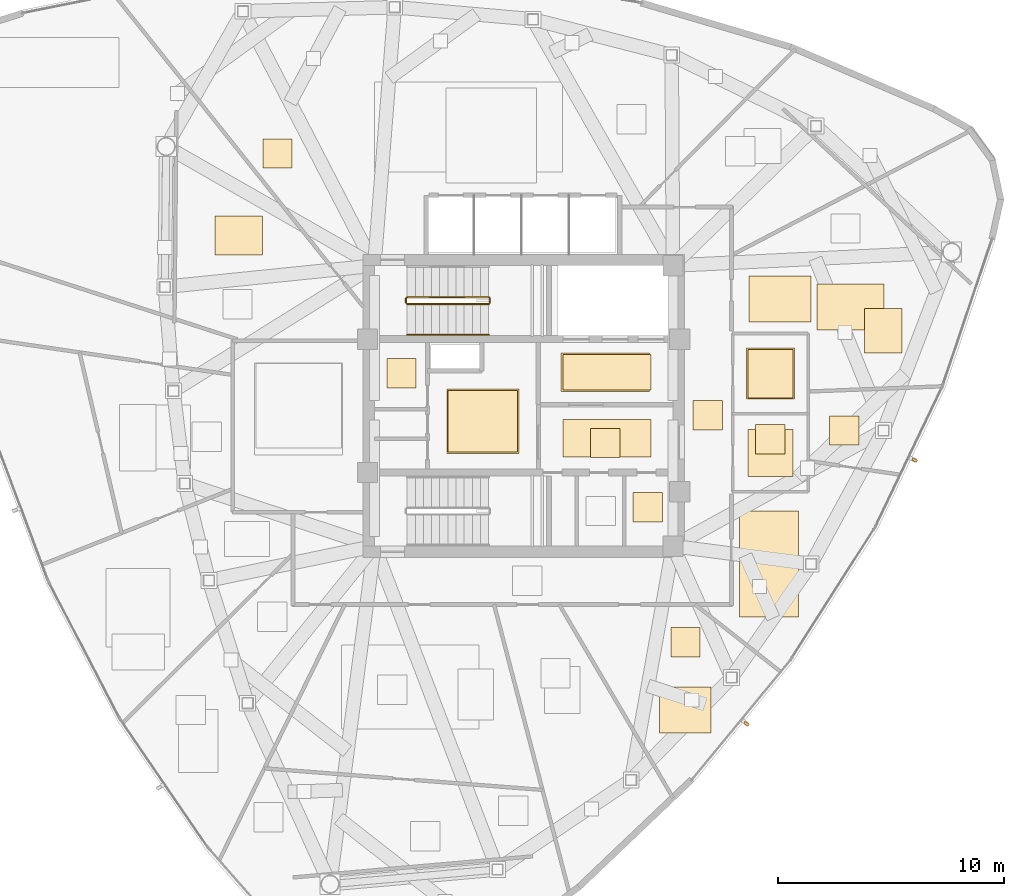
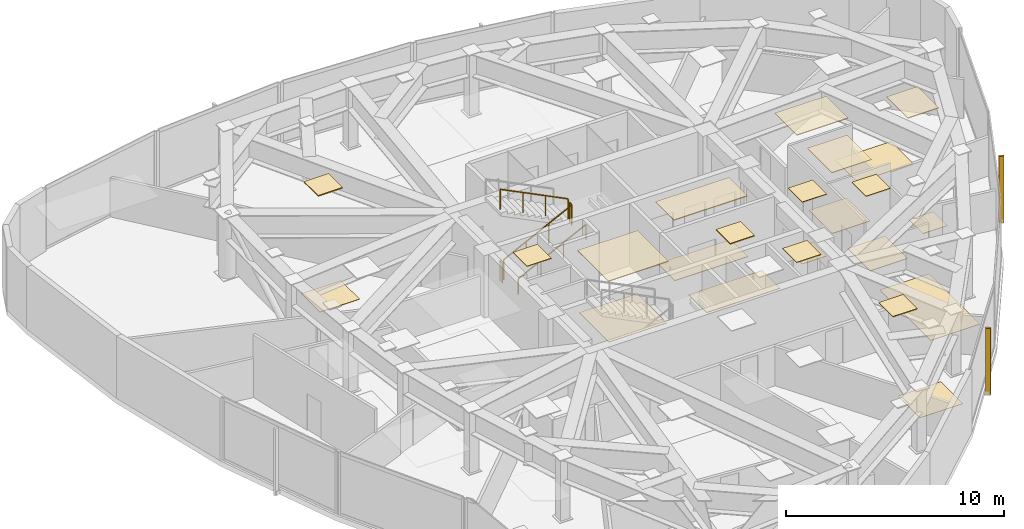
# One storey, part 12 of 13: 23 coverings, 5 railings, 2 shading devices.
"""IFC4 building model written with IfcOpenShell, lengths in metres."""

from ifc_helpers import new_model, si_unit, direction, frame, origin, origin_2d, place, context, subcontext, project, spatial, polyline, rectangle, outline, extrude, source, transform, mapped, material, layer, layer_set, type_object, type_shapes, element, save


model = new_model("IFC4")

# Units and contexts
model_context = context("Model", 3, precision=1e-05, world=origin(), true_north=direction((0.0, 1.0)))
body_context = subcontext(model_context, "Body", "Model", "MODEL_VIEW")
ifc_project = project(units=[si_unit("LENGTHUNIT", "METRE"), si_unit("AREAUNIT", "SQUARE_METRE"), si_unit("VOLUMEUNIT", "CUBIC_METRE"), si_unit("PLANEANGLEUNIT", "RADIAN"), si_unit("MASSUNIT", "GRAM", prefix="KILO")], contexts=[model_context])

# Site, building, storey
site_placement = place(None, origin())
site = spatial("IfcSite", under=ifc_project, at=site_placement, CompositionType="ELEMENT")
building_placement = place(site_placement, origin())
building = spatial("IfcBuilding", under=site, at=building_placement, Name="Tavelor Broadcast Tower", CompositionType="ELEMENT")
storey_placement = place(building_placement, frame((0.0, 0.0, 269.550048828125)))
storey = spatial("IfcBuildingStorey", under=building, at=storey_placement, Name="L64", CompositionType="ELEMENT", Elevation=269.550048828125)

# Coverings
ifc_material_1 = material(Name="Copper-Bronze Anodized Aluminium", Category="aluminium")
ifc_layer_1 = layer(ifc_material_1, 0.044921875)
ifc_layer_set_1 = layer_set([ifc_layer_1], Name="Copper-Bronze Anodized Aluminium")
covering_type_1 = type_object("IfcCoveringType", Name="Anodised Bronze Linear Slatted Concourse Ceiling 45 mm", PredefinedType="CEILING", material=ifc_layer_set_1)
covering_1_placement = place(storey_placement, frame((0.0, 0.0, 3.454833984375)))
element("IfcCovering", 1, at=covering_1_placement, inside=storey, type_object=covering_type_1, Name="L64 Suspended Acoustic Ceiling 2479", PredefinedType="CEILING", context=body_context, shape_type="SweptSolid", body=[
    extrude(outline(polyline([(51.659912109375, 45.6318359375), (55.55712890625, 45.6318359375), (55.55712890625, 47.328125), (51.659912109375, 47.328125), (51.659912109375, 45.6318359375)])), origin(), (0.0, 0.0, 1.0), 0.045166015625),
])
covering_2_placement = place(storey_placement, frame((0.0, 0.0, 3.454833984375)))
element("IfcCovering", 2, at=covering_2_placement, inside=storey, type_object=covering_type_1, Name="L64 Suspended Acoustic Ceiling 2480", PredefinedType="CEILING", context=body_context, shape_type="SweptSolid", body=[
    extrude(outline(polyline([(52.95361328125, 42.705078125), (54.25341796875, 42.705078125), (54.25341796875, 44.0048828125), (52.95361328125, 44.0048828125), (52.95361328125, 42.705078125)])), origin(), (0.0, 0.0, 1.0), 0.045166015625),
])

# Railing
ifc_material_2 = material(Name="Steel S355", Category="steel")
railing_type_1 = type_object("IfcRailingType", Name="Continuous Brushed Stainless Handrail 900 mm", PredefinedType="HANDRAIL", material=ifc_material_2)
railing_1_placement = place(storey_placement, frame((44.85009765625, 48.14990234375, 0.179443359375)))
element("IfcRailing", 3, at=railing_1_placement, inside=storey, type_object=railing_type_1, Name="L64 ST1 stair handrail 1", PredefinedType="HANDRAIL", context=body_context, shape_type="SweptSolid", body=[
    extrude(rectangle(XDim=0.048095703125, YDim=0.048095703125, at=origin_2d()), frame((0.0, 0.0, 0.8759765625), z_axis=(0.894875846893, 0.0, 0.446315156192), x_axis=(0.0, 1.0, 0.0)), (0.0, 0.0, 1.0), 4.022705078125),
    extrude(rectangle(XDim=0.0419921875, YDim=0.0419921875, at=origin_2d()), origin(), (0.0, 0.0, 1.0), 0.851806640625),
    extrude(rectangle(XDim=0.0419921875, YDim=0.0419921875, at=origin_2d()), frame((1.199951171875, 0.0, 0.598388671875)), (0.0, 0.0, 1.0), 0.851806640625),
    extrude(rectangle(XDim=0.0419921875, YDim=0.0419921875, at=origin_2d()), frame((2.39990234375, 0.0, 1.197021484375)), (0.0, 0.0, 1.0), 0.851806640625),
    extrude(rectangle(XDim=0.0419921875, YDim=0.0419921875, at=origin_2d()), frame((3.599853515625, 0.0, 1.79541015625)), (0.0, 0.0, 1.0), 0.851806640625),
])

# Coverings
ifc_material_3 = material(Name="Architectural Anodized Aluminium", Category="aluminium")
ifc_layer_2 = layer(ifc_material_3, 0.034912109375)
ifc_layer_set_2 = layer_set([ifc_layer_2], Name="Architectural Anodized Aluminium")
covering_type_2 = type_object("IfcCoveringType", Name="Demountable Metal Tile Corridor Ceiling 35 mm", PredefinedType="CEILING", material=ifc_layer_set_2)
covering_3_placement = place(storey_placement, frame((0.0, 0.0, 3.46484375)))
element("IfcCovering", 4, at=covering_3_placement, inside=storey, type_object=covering_type_2, Name="L64 Suspended Acoustic Ceiling 2485", PredefinedType="CEILING", context=body_context, shape_type="SweptSolid", body=[
    extrude(outline(polyline([(57.489990234375, 43.925048828125), (58.7900390625, 43.925048828125), (58.7900390625, 45.22509765625), (57.489990234375, 45.22509765625), (57.489990234375, 43.925048828125)])), origin(), (0.0, 0.0, 1.0), 0.03515625),
])
ifc_material_4 = material(Name="Acoustic Nylon Carpet Tile")
ifc_layer_3 = layer(ifc_material_4, 0.02001953125)
ifc_layer_set_3 = layer_set([ifc_layer_3], Name="Acoustic Nylon Carpet Tile")
covering_type_3 = type_object("IfcCoveringType", Name="Heavy-Duty Acoustic Broadcast Carpet Tile 20 mm", PredefinedType="FLOORING", material=ifc_layer_set_3)
covering_4_placement = place(storey_placement, origin())
element("IfcCovering", 5, at=covering_4_placement, inside=storey, type_object=covering_type_3, Name="L64 Broadcast Floor Finish 0950", PredefinedType="FLOORING", context=body_context, shape_type="SweptSolid", body=[
    extrude(outline(polyline([(46.6591796875, 42.953369140625), (49.730712890625, 42.953369140625), (49.730712890625, 45.6865234375), (46.6591796875, 45.6865234375), (46.6591796875, 42.953369140625)])), origin(), (0.0, 0.0, 1.0), 0.02001953125),
])
covering_5_placement = place(storey_placement, origin())
element("IfcCovering", 6, at=covering_5_placement, inside=storey, type_object=covering_type_3, Name="L64 Broadcast Floor Finish 0951", PredefinedType="FLOORING", context=body_context, shape_type="SweptSolid", body=[
    extrude(outline(polyline([(57.489990234375, 43.925048828125), (58.7900390625, 43.925048828125), (58.7900390625, 45.22509765625), (57.489990234375, 45.22509765625), (57.489990234375, 43.925048828125)])), origin(), (0.0, 0.0, 1.0), 0.02001953125),
])
covering_6_placement = place(storey_placement, origin())
element("IfcCovering", 7, at=covering_6_placement, inside=storey, type_object=covering_type_3, Name="L64 Broadcast Floor Finish 0955", PredefinedType="FLOORING", context=body_context, shape_type="SweptSolid", body=[
    extrude(outline(polyline([(63.513671875, 43.259521484375), (64.813720703125, 43.259521484375), (64.813720703125, 44.559326171875), (63.513671875, 44.559326171875), (63.513671875, 43.259521484375)])), origin(), (0.0, 0.0, 1.0), 0.02001953125),
])
covering_7_placement = place(storey_placement, origin())
element("IfcCovering", 8, at=covering_7_placement, inside=storey, type_object=covering_type_3, Name="L64 Broadcast Floor Finish 0956", PredefinedType="FLOORING", context=body_context, shape_type="SweptSolid", body=[
    extrude(outline(polyline([(59.53271484375, 35.668212890625), (62.1533203125, 35.668212890625), (62.1533203125, 40.35009765625), (59.53271484375, 40.35009765625), (59.53271484375, 35.668212890625)])), origin(), (0.0, 0.0, 1.0), 0.02001953125),
])
covering_8_placement = place(storey_placement, origin())
element("IfcCovering", 9, at=covering_8_placement, inside=storey, type_object=covering_type_3, Name="L64 Broadcast Floor Finish 0957", PredefinedType="FLOORING", context=body_context, shape_type="SweptSolid", body=[
    extrude(outline(polyline([(56.0078125, 30.545166015625), (58.282958984375, 30.545166015625), (58.282958984375, 32.5751953125), (56.0078125, 32.5751953125), (56.0078125, 30.545166015625)])), origin(), (0.0, 0.0, 1.0), 0.02001953125),
])
covering_9_placement = place(storey_placement, origin())
element("IfcCovering", 10, at=covering_9_placement, inside=storey, type_object=covering_type_3, Name="L64 Broadcast Floor Finish 0961", PredefinedType="FLOORING", context=body_context, shape_type="SweptSolid", body=[
    extrude(outline(polyline([(36.34716796875, 51.6748046875), (38.45751953125, 51.6748046875), (38.45751953125, 53.391357421875), (36.34716796875, 53.391357421875), (36.34716796875, 51.6748046875)])), origin(), (0.0, 0.0, 1.0), 0.02001953125),
])
covering_10_placement = place(storey_placement, origin())
element("IfcCovering", 11, at=covering_10_placement, inside=storey, type_object=covering_type_3, Name="L64 Broadcast Floor Finish 0964", PredefinedType="FLOORING", context=body_context, shape_type="SweptSolid", body=[
    extrude(outline(polyline([(62.96875, 48.350341796875), (65.93603515625, 48.350341796875), (65.93603515625, 50.39599609375), (62.96875, 50.39599609375), (62.96875, 48.350341796875)])), origin(), (0.0, 0.0, 1.0), 0.02001953125),
])
ifc_material_5 = material(Name="Honed Natural Limestone Tile", Category="masonry")
ifc_layer_4 = layer(ifc_material_5, 0.030029296875)
ifc_layer_set_4 = layer_set([ifc_layer_4], Name="Honed Natural Limestone Tile")
covering_type_4 = type_object("IfcCoveringType", Name="Honed Jerusalem Limestone Concourse Flooring 30 mm", PredefinedType="FLOORING", material=ifc_layer_set_4)
covering_11_placement = place(storey_placement, origin())
element("IfcCovering", 12, at=covering_11_placement, inside=storey, type_object=covering_type_4, Name="L64 Broadcast Floor Finish 0948", PredefinedType="FLOORING", context=body_context, shape_type="SweptSolid", body=[
    extrude(outline(polyline([(51.7373046875, 45.689453125), (55.62255859375, 45.689453125), (55.62255859375, 47.2705078125), (51.7373046875, 47.2705078125), (51.7373046875, 45.689453125)])), origin(), (0.0, 0.0, 1.0), 0.030029296875),
])
covering_12_placement = place(storey_placement, origin())
element("IfcCovering", 13, at=covering_12_placement, inside=storey, type_object=covering_type_4, Name="L64 Broadcast Floor Finish 0949", PredefinedType="FLOORING", context=body_context, shape_type="SweptSolid", body=[
    extrude(outline(polyline([(51.728759765625, 42.743408203125), (55.62109375, 42.743408203125), (55.62109375, 44.396484375), (51.728759765625, 44.396484375), (51.728759765625, 42.743408203125)])), origin(), (0.0, 0.0, 1.0), 0.030029296875),
])
ifc_material_6 = material(Name="Acoustic Perforated Timber Baffle", Category="wood")
ifc_layer_5 = layer(ifc_material_6, 0.054931640625)
ifc_layer_set_5 = layer_set([ifc_layer_5], Name="Acoustic Perforated Timber Baffle")
covering_type_5 = type_object("IfcCoveringType", Name="Micro-Perforated Acoustic Baffle Studio Ceiling 55 mm", PredefinedType="CEILING", material=ifc_layer_set_5)
covering_13_placement = place(storey_placement, frame((0.0, 0.0, 3.445068359375)))
element("IfcCovering", 14, at=covering_13_placement, inside=storey, type_object=covering_type_5, Name="L64 Suspended Acoustic Ceiling 2503", PredefinedType="CEILING", context=body_context, shape_type="SweptSolid", body=[
    extrude(outline(polyline([(38.468505859375, 55.504150390625), (39.7685546875, 55.504150390625), (39.7685546875, 56.80419921875), (38.468505859375, 56.80419921875), (38.468505859375, 55.504150390625)])), origin(), (0.0, 0.0, 1.0), 0.054931640625),
])
ifc_layer_6 = layer(ifc_material_3, 0.030029296875)
ifc_layer_set_6 = layer_set([ifc_layer_6], Name="Architectural Anodized Aluminium")
covering_type_6 = type_object("IfcCoveringType", Name="Moisture-Resistant Washroom Ceiling 30 mm", PredefinedType="CEILING", material=ifc_layer_set_6)
covering_14_placement = place(storey_placement, frame((0.0, 0.0, 3.469970703125)))
element("IfcCovering", 15, at=covering_14_placement, inside=storey, type_object=covering_type_6, Name="L64 Suspended Acoustic Ceiling 2483", PredefinedType="CEILING", context=body_context, shape_type="SweptSolid", body=[
    extrude(outline(polyline([(54.843505859375, 39.866455078125), (56.1435546875, 39.866455078125), (56.1435546875, 41.16650390625), (54.843505859375, 41.16650390625), (54.843505859375, 39.866455078125)])), origin(), (0.0, 0.0, 1.0), 0.030029296875),
])
covering_15_placement = place(storey_placement, frame((0.0, 0.0, 3.469970703125)))
element("IfcCovering", 16, at=covering_15_placement, inside=storey, type_object=covering_type_6, Name="L64 Suspended Acoustic Ceiling 2484", PredefinedType="CEILING", context=body_context, shape_type="SweptSolid", body=[
    extrude(outline(polyline([(43.951416015625, 45.794921875), (45.25146484375, 45.794921875), (45.25146484375, 47.094970703125), (43.951416015625, 47.094970703125), (43.951416015625, 45.794921875)])), origin(), (0.0, 0.0, 1.0), 0.030029296875),
])
covering_16_placement = place(storey_placement, frame((0.0, 0.0, 3.469970703125)))
element("IfcCovering", 17, at=covering_16_placement, inside=storey, type_object=covering_type_6, Name="L64 Suspended Acoustic Ceiling 2488", PredefinedType="CEILING", context=body_context, shape_type="SweptSolid", body=[
    extrude(outline(polyline([(60.260009765625, 42.864501953125), (61.56005859375, 42.864501953125), (61.56005859375, 44.164306640625), (60.260009765625, 44.164306640625), (60.260009765625, 42.864501953125)])), origin(), (0.0, 0.0, 1.0), 0.030029296875),
])
covering_17_placement = place(storey_placement, frame((0.0, 0.0, 3.469970703125)))
element("IfcCovering", 18, at=covering_17_placement, inside=storey, type_object=covering_type_6, Name="L64 Suspended Acoustic Ceiling 2489", PredefinedType="CEILING", context=body_context, shape_type="SweptSolid", body=[
    extrude(outline(polyline([(59.85302734375, 45.29248046875), (61.967041015625, 45.29248046875), (61.967041015625, 47.5576171875), (59.85302734375, 47.5576171875), (59.85302734375, 45.29248046875)])), origin(), (0.0, 0.0, 1.0), 0.030029296875),
])
ifc_material_7 = material(Name="Slip-Resistant Porcelain Tile")
ifc_layer_7 = layer(ifc_material_7, 0.02490234375)
ifc_layer_set_7 = layer_set([ifc_layer_7], Name="Slip-Resistant Porcelain Tile")
covering_type_7 = type_object("IfcCoveringType", Name="Slip-Resistant Porcelain Wet-Area Floor Tile 25 mm", PredefinedType="FLOORING", material=ifc_layer_set_7)
covering_18_placement = place(storey_placement, origin())
element("IfcCovering", 19, at=covering_18_placement, inside=storey, type_object=covering_type_7, Name="L64 Broadcast Floor Finish 0953", PredefinedType="FLOORING", context=body_context, shape_type="SweptSolid", body=[
    extrude(outline(polyline([(59.91064453125, 41.885986328125), (61.909423828125, 41.885986328125), (61.909423828125, 43.964111328125), (59.91064453125, 43.964111328125), (59.91064453125, 41.885986328125)])), origin(), (0.0, 0.0, 1.0), 0.02490234375),
])
covering_19_placement = place(storey_placement, origin())
element("IfcCovering", 20, at=covering_19_placement, inside=storey, type_object=covering_type_7, Name="L64 Broadcast Floor Finish 0954", PredefinedType="FLOORING", context=body_context, shape_type="SweptSolid", body=[
    extrude(outline(polyline([(59.91064453125, 45.35009765625), (61.909423828125, 45.35009765625), (61.909423828125, 47.5), (59.91064453125, 47.5), (59.91064453125, 45.35009765625)])), origin(), (0.0, 0.0, 1.0), 0.02490234375),
])

# Railings
railing_type_2 = type_object("IfcRailingType", Name="Stairwell Steel Safety Guardrail 1150 mm", PredefinedType="GUARDRAIL", material=ifc_material_2)
railing_2_placement = place(storey_placement, frame((44.85009765625, 49.5, 0.179443359375)))
element("IfcRailing", 21, at=railing_2_placement, inside=storey, type_object=railing_type_2, Name="L64 ST1 stair guard 1", PredefinedType="GUARDRAIL", context=body_context, shape_type="SweptSolid", body=[
    extrude(rectangle(XDim=0.048095703125, YDim=0.048095703125, at=origin_2d()), frame((0.0, 0.0, 1.1259765625), z_axis=(0.894875846893, 0.0, 0.446315156192), x_axis=(0.0, 1.0, 0.0)), (0.0, 0.0, 1.0), 4.022705078125),
    extrude(rectangle(XDim=0.0419921875, YDim=0.0419921875, at=origin_2d()), origin(), (0.0, 0.0, 1.0), 1.101806640625),
    extrude(rectangle(XDim=0.0419921875, YDim=0.0419921875, at=origin_2d()), frame((1.199951171875, 0.0, 0.598388671875)), (0.0, 0.0, 1.0), 1.101806640625),
    extrude(rectangle(XDim=0.0419921875, YDim=0.0419921875, at=origin_2d()), frame((2.39990234375, 0.0, 1.197021484375)), (0.0, 0.0, 1.0), 1.101806640625),
    extrude(rectangle(XDim=0.0419921875, YDim=0.0419921875, at=origin_2d()), frame((3.599853515625, 0.0, 1.79541015625)), (0.0, 0.0, 1.0), 1.101806640625),
])
railing_3_placement = place(storey_placement, frame((48.5, 49.550048828125, 1.974853515625)))
element("IfcRailing", 22, at=railing_3_placement, inside=storey, type_object=railing_type_2, Name="L64 ST1 stair guard 2", PredefinedType="GUARDRAIL", context=body_context, shape_type="SweptSolid", body=[
    extrude(rectangle(XDim=0.048095703125, YDim=0.048095703125, at=origin_2d()), frame((0.0, 0.0, 1.1259765625), z_axis=(0.0, 1.0, 0.0), x_axis=(-1.0, 0.0, 0.0)), (0.0, 0.0, 1.0), 0.199951171875),
    extrude(rectangle(XDim=0.0419921875, YDim=0.0419921875, at=origin_2d()), origin(), (0.0, 0.0, 1.0), 1.101806640625),
    extrude(rectangle(XDim=0.0419921875, YDim=0.0419921875, at=origin_2d()), frame((0.0, 0.199951171875, 0.0)), (0.0, 0.0, 1.0), 1.101806640625),
])
railing_4_placement = place(storey_placement, frame((48.449951171875, 49.800048828125, 2.154541015625)))
element("IfcRailing", 23, at=railing_4_placement, inside=storey, type_object=railing_type_2, Name="L64 ST1 stair guard 3", PredefinedType="GUARDRAIL", context=body_context, shape_type="SweptSolid", body=[
    extrude(rectangle(XDim=0.048095703125, YDim=0.048095703125, at=origin_2d()), frame((0.0, 0.0, 1.1259765625), z_axis=(-0.894875846893, 0.0, 0.446315156192), x_axis=(0.0, -1.0, 0.0)), (0.0, 0.0, 1.0), 4.022705078125),
    extrude(rectangle(XDim=0.0419921875, YDim=0.0419921875, at=origin_2d()), origin(), (0.0, 0.0, 1.0), 1.101806640625),
    extrude(rectangle(XDim=0.0419921875, YDim=0.0419921875, at=origin_2d()), frame((-1.199951171875, 0.0, 0.598388671875)), (0.0, 0.0, 1.0), 1.101806640625),
    extrude(rectangle(XDim=0.0419921875, YDim=0.0419921875, at=origin_2d()), frame((-2.39990234375, 0.0, 1.197021484375)), (0.0, 0.0, 1.0), 1.101806640625),
    extrude(rectangle(XDim=0.0419921875, YDim=0.0419921875, at=origin_2d()), frame((-3.599853515625, 0.0, 1.79541015625)), (0.0, 0.0, 1.0), 1.101806640625),
])
railing_5_placement = place(storey_placement, frame((44.800048828125, 49.550048828125, 0.0)))
element("IfcRailing", 24, at=railing_5_placement, inside=storey, type_object=railing_type_2, Name="L64 ST1 stair guard 4", PredefinedType="GUARDRAIL", context=body_context, shape_type="SweptSolid", body=[
    extrude(rectangle(XDim=0.048095703125, YDim=0.048095703125, at=origin_2d()), frame((0.0, 0.0, 1.1259765625), z_axis=(0.0, 1.0, 0.0), x_axis=(-1.0, 0.0, 0.0)), (0.0, 0.0, 1.0), 0.199951171875),
    extrude(rectangle(XDim=0.0419921875, YDim=0.0419921875, at=origin_2d()), origin(), (0.0, 0.0, 1.0), 1.101806640625),
    extrude(rectangle(XDim=0.0419921875, YDim=0.0419921875, at=origin_2d()), frame((0.0, 0.199951171875, 0.0)), (0.0, 0.0, 1.0), 1.101806640625),
])

# Coverings
ifc_material_8 = material(Name="Acoustic Mineral Fibre Tile")
ifc_layer_8 = layer(ifc_material_8, 0.0400390625)
ifc_layer_set_8 = layer_set([ifc_layer_8], Name="Acoustic Mineral Fibre Tile")
covering_type_8 = type_object("IfcCoveringType", Name="Suspended Acoustic Mineral-Fibre Office Ceiling 40 mm", PredefinedType="CEILING", material=ifc_layer_set_8)
covering_20_placement = place(storey_placement, frame((0.0, 0.0, 3.4599609375)))
element("IfcCovering", 25, at=covering_20_placement, inside=storey, type_object=covering_type_8, Name="L64 Suspended Acoustic Ceiling 2481", PredefinedType="CEILING", context=body_context, shape_type="SweptSolid", body=[
    extrude(outline(polyline([(46.6015625, 42.895751953125), (49.788330078125, 42.895751953125), (49.788330078125, 45.744140625), (46.6015625, 45.744140625), (46.6015625, 42.895751953125)])), origin(), (0.0, 0.0, 1.0), 0.0400390625),
])
covering_21_placement = place(storey_placement, frame((0.0, 0.0, 3.4599609375)))
element("IfcCovering", 26, at=covering_21_placement, inside=storey, type_object=covering_type_8, Name="L64 Suspended Acoustic Ceiling 2490", PredefinedType="CEILING", context=body_context, shape_type="SweptSolid", body=[
    extrude(outline(polyline([(56.504638671875, 33.894775390625), (57.8046875, 33.894775390625), (57.8046875, 35.19482421875), (56.504638671875, 35.19482421875), (56.504638671875, 33.894775390625)])), origin(), (0.0, 0.0, 1.0), 0.0400390625),
])
covering_22_placement = place(storey_placement, frame((0.0, 0.0, 3.4599609375)))
element("IfcCovering", 27, at=covering_22_placement, inside=storey, type_object=covering_type_8, Name="L64 Suspended Acoustic Ceiling 2506", PredefinedType="CEILING", context=body_context, shape_type="SweptSolid", body=[
    extrude(outline(polyline([(65.059814453125, 47.339599609375), (66.71533203125, 47.339599609375), (66.71533203125, 49.303466796875), (65.059814453125, 49.303466796875), (65.059814453125, 47.339599609375)])), origin(), (0.0, 0.0, 1.0), 0.0400390625),
])
covering_23_placement = place(storey_placement, frame((0.0, 0.0, 3.4599609375)))
element("IfcCovering", 28, at=covering_23_placement, inside=storey, type_object=covering_type_8, Name="L64 Suspended Acoustic Ceiling 2507", PredefinedType="CEILING", context=body_context, shape_type="SweptSolid", body=[
    extrude(outline(polyline([(59.958740234375, 48.709716796875), (62.693603515625, 48.709716796875), (62.693603515625, 50.739501953125), (59.958740234375, 50.739501953125), (59.958740234375, 48.709716796875)])), origin(), (0.0, 0.0, 1.0), 0.0400390625),
])

# Shading devices
ifc_material_9 = material(Name="Kiln-Fired Glazed Terracotta", Category="masonry")
shading_device_type = type_object("IfcShadingDeviceType", Name="Extruded Terracotta Baguette Sun-Screen 110x240", PredefinedType="JALOUSIE", material=ifc_material_9)
shared_shape = source(origin(), body_context, "Body", "SweptSolid", [
    extrude(rectangle(XDim=0.110107421875, YDim=0.239990234375, at=origin_2d()), origin(), (0.0, 0.0, 1.0), 3.739990234375),
])
type_shapes(shading_device_type, [shared_shape])
for number, where, z_axis, x_axis, name in (
    (29, (59.85595703125, 30.945556640625, -0.26025390625), (0.0, 0.0, 1.0), (0.63580883374, 0.771846569558, 0.0), "L64 Terracotta Baguette Fin 657"),
    (30, (67.285888671875, 42.59716796875, -0.26025390625), (0.0, 0.0, 1.0), (0.431613491188, 0.902058642343, 0.0), "L64 Terracotta Baguette Fin 658"),
):
    element("IfcShadingDevice", number, at=place(storey_placement, frame(where, z_axis=z_axis, x_axis=x_axis)), inside=storey, type_object=shading_device_type, Name=name, PredefinedType="JALOUSIE", context=body_context, shape_type="MappedRepresentation", body=[
        mapped(shared_shape, transform((0.0, 0.0, 0.0), scale=1.0)),
    ])

save(model, "model.ifc")
